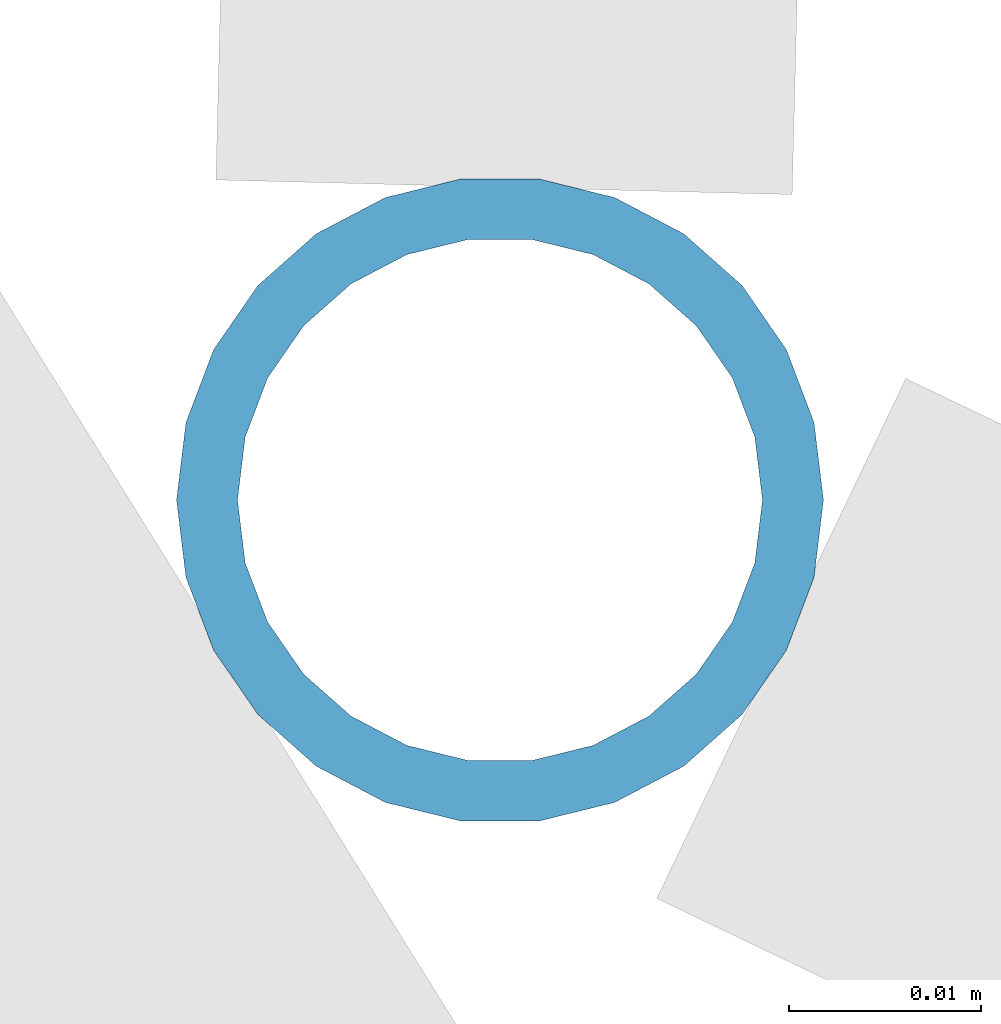
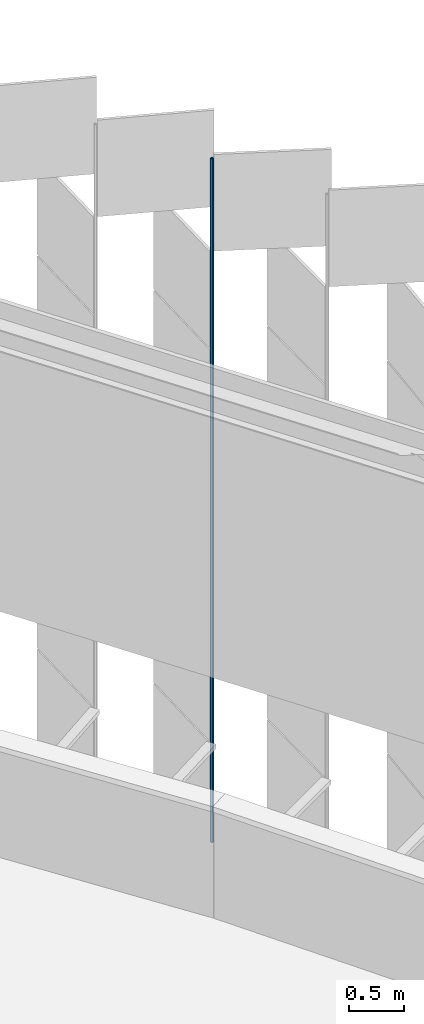
# One storey, part 324 of 483: 1 discrete accessory.
"""IFC4 building model written with IfcOpenShell, lengths in metres."""

from ifc_helpers import new_model, si_unit, direction, frame, origin, origin_2d, place, context, subcontext, project, spatial, hollow_circle, extrude, material, material_profile, profile_set, type_object, element, save


model = new_model("IFC4")

# Units and contexts
model_context = context("Model", 3, precision=1e-05, world=origin(), true_north=direction((0.0, 1.0)))
body_context = subcontext(model_context, "Body", "Model", "MODEL_VIEW")
ifc_project = project(units=[si_unit("LENGTHUNIT", "METRE"), si_unit("AREAUNIT", "SQUARE_METRE"), si_unit("VOLUMEUNIT", "CUBIC_METRE"), si_unit("PLANEANGLEUNIT", "RADIAN"), si_unit("MASSUNIT", "GRAM", prefix="KILO")], contexts=[model_context])

# Site, building, storey
site_placement = place(None, origin())
site = spatial("IfcSite", under=ifc_project, at=site_placement, CompositionType="ELEMENT")
building_placement = place(site_placement, origin())
building = spatial("IfcBuilding", under=site, at=building_placement, Name="Parallax Yard Mobility Hub", CompositionType="ELEMENT")
storey_placement = place(building_placement, frame((0.0, 0.0, 13.199951171875)))
storey = spatial("IfcBuildingStorey", under=building, at=storey_placement, Name="L04", CompositionType="ELEMENT", Elevation=13.199951171875)

# Discrete accessory
ifc_material = material(Name="Steel ASTM A500 Gr C, hot-dip galvanised", Category="steel")
ifc_material_profile = material_profile(ifc_material, hollow_circle(Radius=0.016845703125, WallThickness=0.003173828125, at=origin_2d()), Name="CHS 33.7x3.2")
ifc_profile_set = profile_set([ifc_material_profile], Name="Steel ASTM A500 Gr C, hot-dip galvanised")
discrete_accessory_type = type_object("IfcDiscreteAccessoryType", Name="Hinge post CHS 33.7x3.2", PredefinedType="BRACKET", material=ifc_profile_set)
discrete_accessory_placement = place(storey_placement, frame((217.647705078125, 118.365478515625, 0.0), z_axis=(0.0, 0.0, 1.0), x_axis=(1.0, 0.0, 0.0)))
element("IfcDiscreteAccessory", 1, at=discrete_accessory_placement, inside=storey, type_object=discrete_accessory_type, Name="Hinge post bay 44.5 level L04", PredefinedType="BRACKET", context=body_context, shape_type="SweptSolid", body=[
    extrude(hollow_circle(Radius=0.016845703125, WallThickness=0.003173828125, at=origin_2d()), origin(), (0.0, 0.0, 1.0), 7.650146484375),
])

save(model, "model.ifc")
